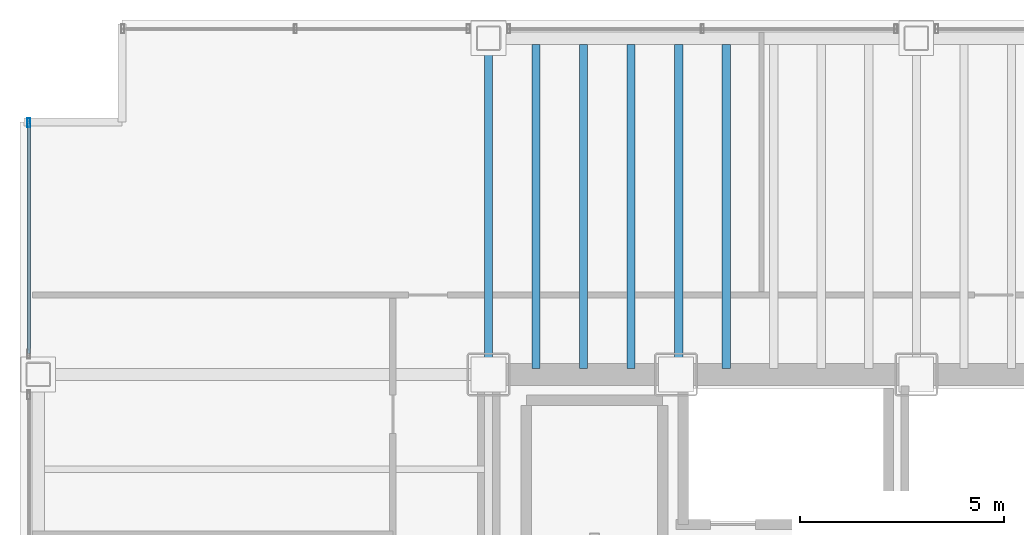
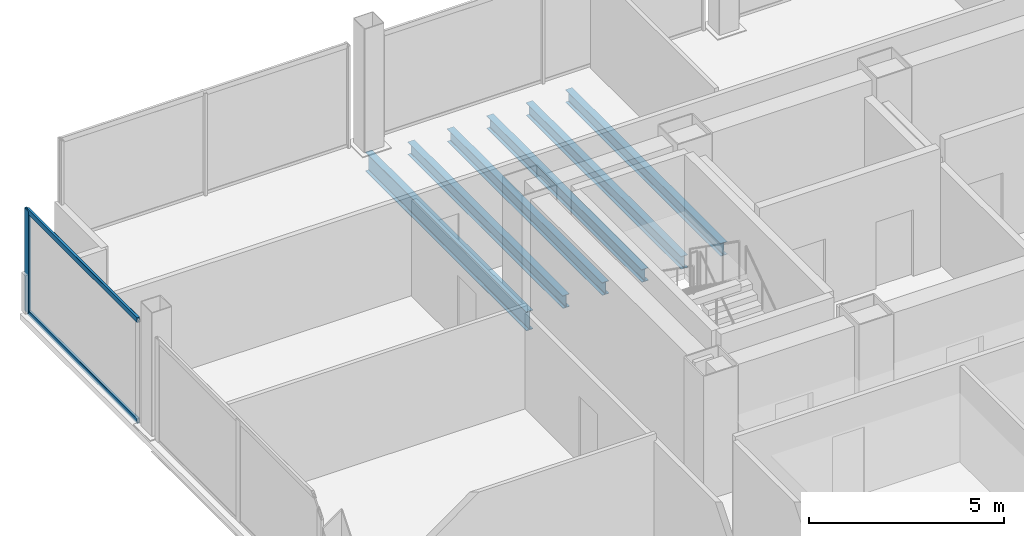
# One storey, part 7 of 21: 6 beams, 3 members, 1 element without a shape of its own.
"""IFC4 building model written with IfcOpenShell, lengths in metres."""

from ifc_helpers import new_model, si_unit, direction, frame, origin, origin_2d, place, context, subcontext, project, spatial, hollow_rectangle, i_section, extrude, material, material_profile, profile_set, type_object, element, aggregate, save


model = new_model("IFC4")

# Units and contexts
model_context = context("Model", 3, precision=1e-05, world=origin(), true_north=direction((0.0, 1.0)))
body_context = subcontext(model_context, "Body", "Model", "MODEL_VIEW")
ifc_project = project(units=[si_unit("LENGTHUNIT", "METRE"), si_unit("AREAUNIT", "SQUARE_METRE"), si_unit("VOLUMEUNIT", "CUBIC_METRE"), si_unit("PLANEANGLEUNIT", "RADIAN"), si_unit("MASSUNIT", "GRAM", prefix="KILO")], contexts=[model_context])

# Site, building, storey
site_placement = place(None, origin())
site = spatial("IfcSite", under=ifc_project, at=site_placement, CompositionType="ELEMENT")
building_placement = place(site_placement, origin())
building = spatial("IfcBuilding", under=site, at=building_placement, Name="Noeulbin Bourse Tower", CompositionType="ELEMENT")
storey_placement = place(building_placement, frame((0.0, 0.0, 42.10009765625)))
storey = spatial("IfcBuildingStorey", under=building, at=storey_placement, Name="L10", CompositionType="ELEMENT", Elevation=42.10009765625)

# Beams
ifc_material_1 = material(Name="Steel S355", Category="steel")
ifc_material_profile_1 = material_profile(ifc_material_1, i_section(OverallWidth=0.199951171875, OverallDepth=0.60009765625, WebThickness=0.010986328125, FlangeThickness=0.01708984375, FilletRadius=0.02197265625, at=origin_2d()), Name="H-600x200x11x17", Category="LoadBearing")
ifc_profile_set_1 = profile_set([ifc_material_profile_1], Name="Steel S355")
beam_type_1 = type_object("IfcBeamType", Name="BM-GRD-600", PredefinedType="USERDEFINED", material=ifc_profile_set_1)
beam_placement = place(storey_placement, frame((13.5, 38.300048828125, -0.47998046875), z_axis=(0.0, 1.0, 0.0), x_axis=(-1.0, 0.0, 0.0)))
element("IfcBeam", 1, at=beam_placement, inside=storey, type_object=beam_type_1, Name="Tower Primary Girder NS L10-1.4", ObjectType="GIRDER", PredefinedType="USERDEFINED", context=body_context, shape_type="SweptSolid", body=[
    extrude(i_section(OverallWidth=0.199951171875, OverallDepth=0.60009765625, WebThickness=0.010986328125, FlangeThickness=0.01708984375, FilletRadius=0.02197265625, at=origin_2d()), origin(), (0.0, 0.0, 1.0), 8.25),
])
ifc_material_profile_2 = material_profile(ifc_material_1, i_section(OverallWidth=0.199951171875, OverallDepth=0.39990234375, WebThickness=0.008056640625, FlangeThickness=0.012939453125, FilletRadius=0.01611328125, at=origin_2d()), Name="H-400x200x8x13", Category="LoadBearing")
ifc_profile_set_2 = profile_set([ifc_material_profile_2], Name="Steel S355")
beam_type_2 = type_object("IfcBeamType", Name="BM-SEC-400", PredefinedType="BEAM", material=ifc_profile_set_2)
for number, where, z_axis, x_axis, name in (
    (2, (14.666748046875, 38.449951171875, -0.380126953125), (0.0, 1.0, 0.0), (-1.0, 0.0, 0.0), "Tower Composite Joist L10-03"),
    (3, (15.833251953125, 38.449951171875, -0.380126953125), (0.0, 1.0, 0.0), (-1.0, 0.0, 0.0), "Tower Composite Joist L10-06"),
    (4, (17.0, 38.449951171875, -0.380126953125), (0.0, 1.0, 0.0), (-1.0, 0.0, 0.0), "Tower Composite Joist L10-09"),
    (5, (18.166748046875, 38.449951171875, -0.380126953125), (0.0, 1.0, 0.0), (-1.0, 0.0, 0.0), "Tower Composite Joist L10-12"),
    (6, (19.333251953125, 38.449951171875, -0.380126953125), (0.0, 1.0, 0.0), (-1.0, 0.0, 0.0), "Tower Composite Joist L10-15"),
):
    element("IfcBeam", number, at=place(storey_placement, frame(where, z_axis=z_axis, x_axis=x_axis)), inside=storey, type_object=beam_type_2, Name=name, PredefinedType="BEAM", context=body_context, shape_type="SweptSolid", body=[
        extrude(i_section(OverallWidth=0.199951171875, OverallDepth=0.39990234375, WebThickness=0.008056640625, FlangeThickness=0.012939453125, FilletRadius=0.01611328125, at=origin_2d()), origin(), (0.0, 0.0, 1.0), 7.949951171875),
    ])

# Curtain wall, members
ifc_material_2 = material(Name="Dark Solar-Control Double Glazing", Category="glass")
curtain_wall_type = type_object("IfcCurtainWallType", Name="CW-SYS-2", PredefinedType="NOTDEFINED", material=ifc_material_2)
curtain_wall_placement = place(storey_placement, origin())
curtain_wall = element("IfcCurtainWall", 7, at=curtain_wall_placement, inside=storey, type_object=curtain_wall_type, Name="Unitised Curtain Wall CW-L10-W-S4", PredefinedType="NOTDEFINED")
ifc_material_3 = material(Name="Anodised Aluminium 6063-T6", Category="aluminium")
ifc_material_profile_3 = material_profile(ifc_material_3, hollow_rectangle(XDim=0.074951171875, YDim=0.219970703125, WallThickness=0.0048828125, InnerFilletRadius=0.00244140625, OuterFilletRadius=0.0048828125, at=origin_2d()), Name="ALU-MULL-75x220x5", Category="LoadBearing")
ifc_profile_set_3 = profile_set([ifc_material_profile_3], Name="Anodised Aluminium 6063-T6")
member_type_1 = type_object("IfcMemberType", Name="CW-SYS-2-MUL", PredefinedType="MULLION", material=ifc_profile_set_3)
member_1_placement = place(storey_placement, frame((2.219970703125, 44.47998046875, -0.02001953125), z_axis=(0.0, 0.0, 1.0), x_axis=(1.0, 0.0, 0.0)))
member_1 = element("IfcMember", 8, at=member_1_placement, type_object=member_type_1, Name="Curtain Wall Mullion CW-L10-W-S4-M01", PredefinedType="MULLION", context=body_context, shape_type="SweptSolid", body=[
    extrude(hollow_rectangle(XDim=0.074951171875, YDim=0.219970703125, WallThickness=0.0048828125, InnerFilletRadius=0.00244140625, OuterFilletRadius=0.0048828125, at=origin_2d()), origin(), (0.0, 0.0, 1.0), 3.219970703125),
])
ifc_material_profile_4 = material_profile(ifc_material_3, hollow_rectangle(XDim=0.074951171875, YDim=0.159912109375, WallThickness=0.0048828125, InnerFilletRadius=0.00244140625, OuterFilletRadius=0.0048828125, at=origin_2d()), Name="ALU-TRAN-75x160x5", Category="LoadBearing")
ifc_profile_set_4 = profile_set([ifc_material_profile_4], Name="Anodised Aluminium 6063-T6")
member_type_2 = type_object("IfcMemberType", Name="CW-SYS-2-TRN", PredefinedType="USERDEFINED", material=ifc_profile_set_4)
member_2_placement = place(storey_placement, frame((2.219970703125, 38.81005859375, 0.010009765625), z_axis=(0.0, 1.0, 0.0), x_axis=(-1.0, 0.0, 0.0)))
member_2 = element("IfcMember", 9, at=member_2_placement, type_object=member_type_2, Name="Curtain Wall Transom CW-L10-W-S4-T00", ObjectType="TRANSOM", PredefinedType="USERDEFINED", context=body_context, shape_type="SweptSolid", body=[
    extrude(hollow_rectangle(XDim=0.074951171875, YDim=0.159912109375, WallThickness=0.0048828125, InnerFilletRadius=0.00244140625, OuterFilletRadius=0.0048828125, at=origin_2d()), origin(), (0.0, 0.0, 1.0), 5.659912109375),
])
member_3_placement = place(storey_placement, frame((2.219970703125, 38.81005859375, 3.169921875), z_axis=(0.0, 1.0, 0.0), x_axis=(-1.0, 0.0, 0.0)))
member_3 = element("IfcMember", 10, at=member_3_placement, type_object=member_type_2, Name="Curtain Wall Transom CW-L10-W-S4-T01", ObjectType="TRANSOM", PredefinedType="USERDEFINED", context=body_context, shape_type="SweptSolid", body=[
    extrude(hollow_rectangle(XDim=0.074951171875, YDim=0.159912109375, WallThickness=0.0048828125, InnerFilletRadius=0.00244140625, OuterFilletRadius=0.0048828125, at=origin_2d()), origin(), (0.0, 0.0, 1.0), 5.659912109375),
])
aggregate(curtain_wall, [member_1, member_2, member_3])

save(model, "model.ifc")
